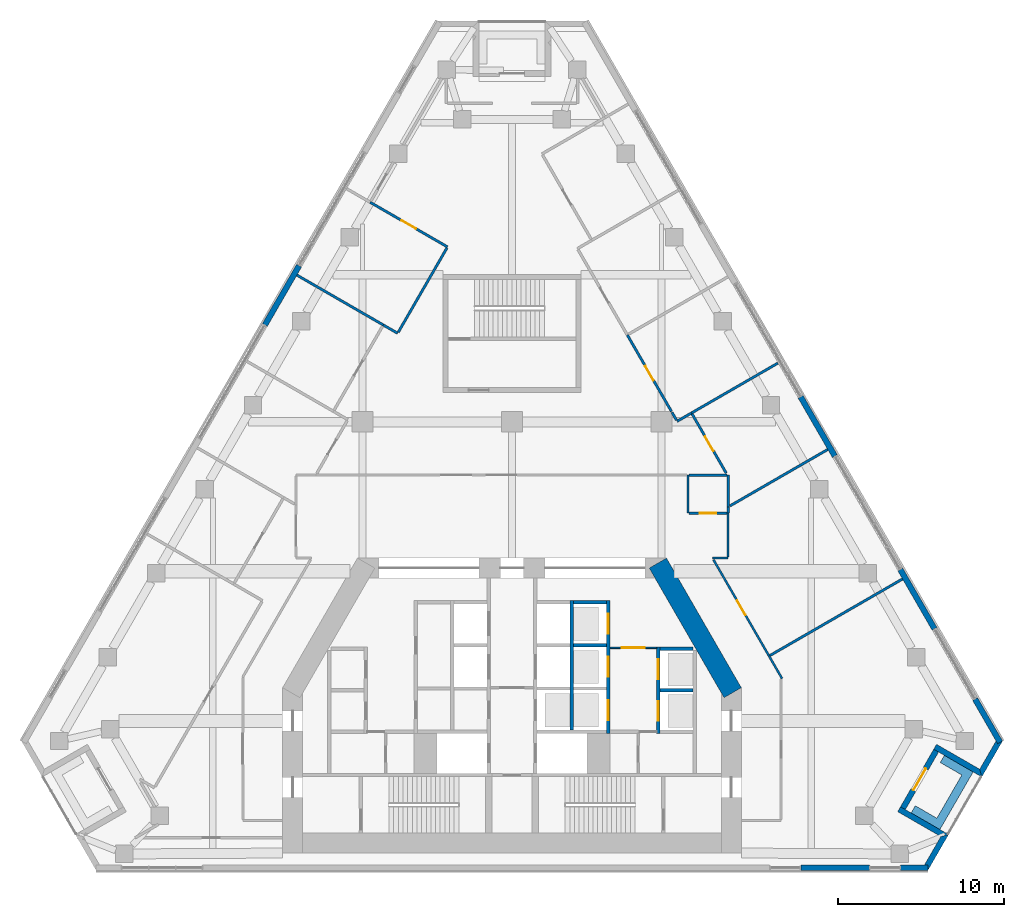
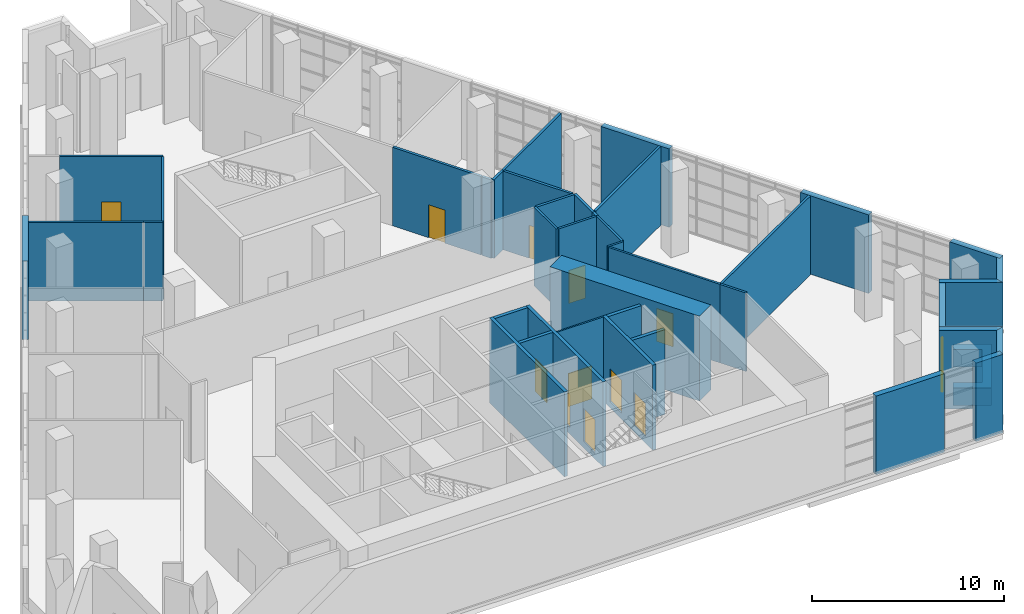
# One storey, part 15 of 18: 41 walls, 12 doors, 12 openings.
"""IFC4 building model written with IfcOpenShell, lengths in metres."""

from ifc_helpers import new_model, si_unit, direction, frame, frame_2d, origin, place, context, subcontext, project, spatial, polyline, rectangle, outline, extrude, material, layer, layer_set, type_object, element, fill, save


model = new_model("IFC4")

# Units and contexts
model_context = context("Model", 3, precision=1e-05, world=origin(), true_north=direction((0.0, 1.0)))
body_context = subcontext(model_context, "Body", "Model", "MODEL_VIEW")
ifc_project = project(units=[si_unit("LENGTHUNIT", "METRE"), si_unit("AREAUNIT", "SQUARE_METRE"), si_unit("VOLUMEUNIT", "CUBIC_METRE"), si_unit("PLANEANGLEUNIT", "RADIAN"), si_unit("MASSUNIT", "GRAM", prefix="KILO")], contexts=[model_context])

# Site, building, storey
site_placement = place(None, origin())
site = spatial("IfcSite", under=ifc_project, at=site_placement, CompositionType="ELEMENT")
building_placement = place(site_placement, origin())
building = spatial("IfcBuilding", under=site, at=building_placement, Name="Fogline Exchange Tower", CompositionType="ELEMENT")
storey_placement = place(building_placement, frame((0.0, 0.0, 137.5)))
storey = spatial("IfcBuildingStorey", under=building, at=storey_placement, Name="L30", CompositionType="ELEMENT", Elevation=137.5)

# Wall, opening, door
ifc_material_1 = material(Name="Blockwork partition", Category="masonry")
ifc_layer_1 = layer(ifc_material_1, 0.10009765625)
ifc_layer_set_1 = layer_set([ifc_layer_1], Name="CW10")
wall_type_1 = type_object("IfcWallType", Name="CW10", PredefinedType="PARTITIONING", material=ifc_layer_set_1)
wall_1_placement = place(storey_placement, frame((5.89990234375, 13.39990234375, 0.0), z_axis=(0.0, 0.0, 1.0), x_axis=(1.0, 0.0, 0.0)))
wall_1 = element("IfcWall", 1, at=wall_1_placement, inside=storey, type_object=wall_type_1, Name="Lift lobby partition", PredefinedType="PARTITIONING", context=body_context, shape_type="SweptSolid", body=[
    extrude(rectangle(XDim=2.800048828125, YDim=0.10009765625, at=frame_2d((1.39990234375, 0.0))), origin(), (0.0, 0.0, 1.0), 5.0),
])
opening_1_placement = place(wall_1_placement, frame((0.699951171875, 0.0, 0.0)))
opening_1 = element("IfcOpeningElement", 2, at=opening_1_placement, cuts=wall_1, Name="Opening T09-C012", PredefinedType="OPENING", context=body_context, shape_type="SweptSolid", body=[
    extrude(rectangle(XDim=1.39990234375, YDim=2.10009765625, at=frame_2d((0.699951171875, 1.050048828125))), frame((0.0, 0.06005859375, 0.0), z_axis=(0.0, -1.0, 0.0), x_axis=(1.0, 0.0, 0.0)), (0.0, 0.0, 1.0), 0.1201171875),
])
ifc_material_2 = material(Name="Steel and timber fire door", Category="steel")
door_type_1 = type_object("IfcDoorType", Name="D-LB1", OperationType="DOUBLE_DOOR_SINGLE_SWING", PredefinedType="DOOR", material=ifc_material_2)
door_1_placement = place(opening_1_placement, frame((1.39990234375, 0.0, 0.0), z_axis=(0.0, 0.0, 1.0), x_axis=(-1.0, 0.0, 0.0)))
door_1 = element("IfcDoor", 3, at=door_1_placement, inside=storey, type_object=door_type_1, Name="Door to lift lobby", OperationType="DOUBLE_DOOR_SINGLE_SWING", OverallHeight=2.10009765625, OverallWidth=1.39990234375, PredefinedType="DOOR", context=body_context, shape_type="SweptSolid", body=[
    extrude(rectangle(XDim=1.39990234375, YDim=2.10009765625, at=frame_2d((0.699951171875, 1.050048828125))), frame((0.0, 0.02490234375, 0.0), z_axis=(0.0, -1.0, 0.0), x_axis=(1.0, 0.0, 0.0)), (0.0, 0.0, 1.0), 0.050048828125),
])
fill(opening_1, door_1)

# Wall, openings, doors
ifc_material_3 = material(Name="Concrete C40", Category="concrete")
ifc_layer_2 = layer(ifc_material_3, 0.199951171875)
ifc_layer_set_2 = layer_set([ifc_layer_2], Name="CW20S")
wall_type_2 = type_object("IfcWallType", Name="CW20S", PredefinedType="SOLIDWALL", material=ifc_layer_set_2)
wall_2_placement = place(storey_placement, frame((8.800048828125, 8.25, -0.39990234375), z_axis=(0.0, 0.0, 1.0), x_axis=(0.0, 1.0, 0.0)))
wall_2 = element("IfcWall", 4, at=wall_2_placement, inside=storey, type_object=wall_type_2, Name="Lift shaft wall", PredefinedType="SOLIDWALL", context=body_context, shape_type="SweptSolid", body=[
    extrude(rectangle(XDim=5.199951171875, YDim=0.199951171875, at=frame_2d((2.60009765625, 0.0))), origin(), (0.0, 0.0, 1.0), 5.39990234375),
])
opening_2_placement = place(wall_2_placement, frame((0.75, 0.0, 0.39990234375)))
opening_2 = element("IfcOpeningElement", 5, at=opening_2_placement, cuts=wall_2, Name="Opening T09-LD04", PredefinedType="OPENING", context=body_context, shape_type="SweptSolid", body=[
    extrude(rectangle(XDim=1.199951171875, YDim=2.10009765625, at=frame_2d((0.60009765625, 1.050048828125))), frame((0.0, 0.10986328125, 0.0), z_axis=(0.0, -1.0, 0.0), x_axis=(1.0, 0.0, 0.0)), (0.0, 0.0, 1.0), 0.219970703125),
])
opening_3_placement = place(wall_2_placement, frame((3.25, 0.0, 0.39990234375)))
opening_3 = element("IfcOpeningElement", 6, at=opening_3_placement, cuts=wall_2, Name="Opening T09-LD05", PredefinedType="OPENING", context=body_context, shape_type="SweptSolid", body=[
    extrude(rectangle(XDim=1.199951171875, YDim=2.10009765625, at=frame_2d((0.60009765625, 1.050048828125))), frame((0.0, 0.10986328125, 0.0), z_axis=(0.0, -1.0, 0.0), x_axis=(1.0, 0.0, 0.0)), (0.0, 0.0, 1.0), 0.219970703125),
])
door_type_2 = type_object("IfcDoorType", Name="LD1", OperationType="SLIDING_TO_LEFT", PredefinedType="DOOR", material=ifc_material_2)
door_2_placement = place(opening_2_placement, origin())
door_2 = element("IfcDoor", 7, at=door_2_placement, inside=storey, type_object=door_type_2, Name="Landing door HR1", OperationType="SLIDING_TO_LEFT", OverallHeight=2.10009765625, OverallWidth=1.199951171875, PredefinedType="DOOR", context=body_context, shape_type="SweptSolid", body=[
    extrude(rectangle(XDim=1.199951171875, YDim=2.10009765625, at=frame_2d((0.60009765625, 1.050048828125))), frame((0.0, 0.02490234375, 0.0), z_axis=(0.0, -1.0, 0.0), x_axis=(1.0, 0.0, 0.0)), (0.0, 0.0, 1.0), 0.050048828125),
])
fill(opening_2, door_2)
door_3_placement = place(opening_3_placement, origin())
door_3 = element("IfcDoor", 8, at=door_3_placement, inside=storey, type_object=door_type_2, Name="Landing door HR2", OperationType="SLIDING_TO_LEFT", OverallHeight=2.10009765625, OverallWidth=1.199951171875, PredefinedType="DOOR", context=body_context, shape_type="SweptSolid", body=[
    extrude(rectangle(XDim=1.199951171875, YDim=2.10009765625, at=frame_2d((0.60009765625, 1.050048828125))), frame((0.0, 0.02490234375, 0.0), z_axis=(0.0, -1.0, 0.0), x_axis=(1.0, 0.0, 0.0)), (0.0, 0.0, 1.0), 0.050048828125),
])
fill(opening_3, door_3)

wall_3_placement = place(storey_placement, frame((5.800048828125, 8.25, -0.39990234375), z_axis=(0.0, 0.0, 1.0), x_axis=(0.0, 1.0, 0.0)))
wall_3 = element("IfcWall", 9, at=wall_3_placement, inside=storey, type_object=wall_type_2, Name="Lift shaft wall", PredefinedType="SOLIDWALL", context=body_context, shape_type="SweptSolid", body=[
    extrude(rectangle(XDim=8.0, YDim=0.199951171875, at=frame_2d((4.0, 0.0))), origin(), (0.0, 0.0, 1.0), 5.39990234375),
])
opening_4_placement = place(wall_3_placement, frame((0.800048828125, 0.0, 0.39990234375)))
opening_4 = element("IfcOpeningElement", 10, at=opening_4_placement, cuts=wall_3, Name="Opening T09-LD06", PredefinedType="OPENING", context=body_context, shape_type="SweptSolid", body=[
    extrude(rectangle(XDim=1.199951171875, YDim=2.10009765625, at=frame_2d((0.60009765625, 1.050048828125))), frame((0.0, 0.10986328125, 0.0), z_axis=(0.0, -1.0, 0.0), x_axis=(1.0, 0.0, 0.0)), (0.0, 0.0, 1.0), 0.219970703125),
])
opening_5_placement = place(wall_3_placement, frame((3.39990234375, 0.0, 0.39990234375)))
opening_5 = element("IfcOpeningElement", 11, at=opening_5_placement, cuts=wall_3, Name="Opening T09-LD07", PredefinedType="OPENING", context=body_context, shape_type="SweptSolid", body=[
    extrude(rectangle(XDim=1.199951171875, YDim=2.10009765625, at=frame_2d((0.60009765625, 1.050048828125))), frame((0.0, 0.10986328125, 0.0), z_axis=(0.0, -1.0, 0.0), x_axis=(1.0, 0.0, 0.0)), (0.0, 0.0, 1.0), 0.219970703125),
])
opening_6_placement = place(wall_3_placement, frame((6.0, 0.0, 0.39990234375)))
opening_6 = element("IfcOpeningElement", 12, at=opening_6_placement, cuts=wall_3, Name="Opening T09-LD08", PredefinedType="OPENING", context=body_context, shape_type="SweptSolid", body=[
    extrude(rectangle(XDim=1.199951171875, YDim=2.10009765625, at=frame_2d((0.60009765625, 1.050048828125))), frame((0.0, 0.10986328125, 0.0), z_axis=(0.0, -1.0, 0.0), x_axis=(1.0, 0.0, 0.0)), (0.0, 0.0, 1.0), 0.219970703125),
])
door_4_placement = place(opening_4_placement, origin())
door_4 = element("IfcDoor", 13, at=door_4_placement, inside=storey, type_object=door_type_2, Name="Landing door MR1", OperationType="SLIDING_TO_LEFT", OverallHeight=2.10009765625, OverallWidth=1.199951171875, PredefinedType="DOOR", context=body_context, shape_type="SweptSolid", body=[
    extrude(rectangle(XDim=1.199951171875, YDim=2.10009765625, at=frame_2d((0.60009765625, 1.050048828125))), frame((0.0, 0.02490234375, 0.0), z_axis=(0.0, -1.0, 0.0), x_axis=(1.0, 0.0, 0.0)), (0.0, 0.0, 1.0), 0.050048828125),
])
fill(opening_4, door_4)
door_5_placement = place(opening_5_placement, origin())
door_5 = element("IfcDoor", 14, at=door_5_placement, inside=storey, type_object=door_type_2, Name="Landing door MR2", OperationType="SLIDING_TO_LEFT", OverallHeight=2.10009765625, OverallWidth=1.199951171875, PredefinedType="DOOR", context=body_context, shape_type="SweptSolid", body=[
    extrude(rectangle(XDim=1.199951171875, YDim=2.10009765625, at=frame_2d((0.60009765625, 1.050048828125))), frame((0.0, 0.02490234375, 0.0), z_axis=(0.0, -1.0, 0.0), x_axis=(1.0, 0.0, 0.0)), (0.0, 0.0, 1.0), 0.050048828125),
])
fill(opening_5, door_5)
door_6_placement = place(opening_6_placement, origin())
door_6 = element("IfcDoor", 15, at=door_6_placement, inside=storey, type_object=door_type_2, Name="Landing door MR3", OperationType="SLIDING_TO_LEFT", OverallHeight=2.10009765625, OverallWidth=1.199951171875, PredefinedType="DOOR", context=body_context, shape_type="SweptSolid", body=[
    extrude(rectangle(XDim=1.199951171875, YDim=2.10009765625, at=frame_2d((0.60009765625, 1.050048828125))), frame((0.0, 0.02490234375, 0.0), z_axis=(0.0, -1.0, 0.0), x_axis=(1.0, 0.0, 0.0)), (0.0, 0.0, 1.0), 0.050048828125),
])
fill(opening_6, door_6)

# Walls
wall_4_placement = place(storey_placement, frame((3.60009765625, 8.449951171875, -0.39990234375), z_axis=(0.0, 0.0, 1.0), x_axis=(0.0, 1.0, 0.0)))
element("IfcWall", 16, at=wall_4_placement, inside=storey, type_object=wall_type_2, Name="Lift shaft wall", PredefinedType="SOLIDWALL", context=body_context, shape_type="SweptSolid", body=[
    extrude(rectangle(XDim=7.800048828125, YDim=0.199951171875, at=frame_2d((3.89990234375, 0.0))), origin(), (0.0, 0.0, 1.0), 5.39990234375),
])
for number, where, z_axis, x_axis, name in (
    (17, (8.89990234375, 10.85009765625, -0.39990234375), (0.0, 0.0, 1.0), (1.0, 0.0, 0.0), "Lift shaft wall"),
    (18, (8.89990234375, 13.35009765625, -0.39990234375), (0.0, 0.0, 1.0), (1.0, 0.0, 0.0), "Lift shaft wall"),
    (19, (3.699951171875, 13.550048828125, -0.39990234375), (0.0, 0.0, 1.0), (1.0, 0.0, 0.0), "Lift shaft wall"),
    (20, (3.699951171875, 16.14990234375, -0.39990234375), (0.0, 0.0, 1.0), (1.0, 0.0, 0.0), "Lift shaft wall"),
):
    element("IfcWall", number, at=place(storey_placement, frame(where, z_axis=z_axis, x_axis=x_axis)), inside=storey, type_object=wall_type_2, Name=name, PredefinedType="SOLIDWALL", context=body_context, shape_type="SweptSolid", body=[
        extrude(rectangle(XDim=2.0, YDim=0.199951171875, at=frame_2d((1.0, 0.0))), origin(), (0.0, 0.0, 1.0), 5.39990234375),
    ])
ifc_material_4 = material(Name="Brick masonry", Category="masonry")
ifc_layer_3 = layer(ifc_material_4, 0.340087890625)
ifc_layer_set_3 = layer_set([ifc_layer_3], Name="FW1")
wall_type_3 = type_object("IfcWallType", Name="FW1", PredefinedType="SOLIDWALL", material=ifc_layer_set_3)
wall_5_placement = place(storey_placement, frame((17.385009765625, 0.169921875, 0.0), z_axis=(0.0, 0.0, 1.0), x_axis=(1.0, 0.0, 0.0)))
element("IfcWall", 21, at=wall_5_placement, inside=storey, type_object=wall_type_3, Name="Brick wall L30 S bay 3", PredefinedType="SOLIDWALL", context=body_context, shape_type="SweptSolid", body=[
    extrude(rectangle(XDim=4.114990234375, YDim=0.340087890625, at=frame_2d((2.0576171875, 0.0))), origin(), (0.0, 0.0, 1.0), 5.0),
])
wall_6_placement = place(storey_placement, frame((23.385009765625, 0.169921875, 0.0), z_axis=(0.0, 0.0, 1.0), x_axis=(1.0, 0.0, 0.0)))
element("IfcWall", 22, at=wall_6_placement, inside=storey, type_object=wall_type_3, Name="Brick wall L30 S bay 4", PredefinedType="SOLIDWALL", context=body_context, shape_type="SweptSolid", body=[
    extrude(rectangle(XDim=1.6357421875, YDim=0.340087890625, at=frame_2d((0.81787109375, 0.0))), origin(), (0.0, 0.0, 1.0), 5.0),
])
wall_7_placement = place(storey_placement, origin())
element("IfcWall", 23, at=wall_7_placement, inside=storey, type_object=wall_type_3, Name="Brick wall L30 SE-c1", PredefinedType="SOLIDWALL", context=body_context, shape_type="SweptSolid", body=[
    extrude(outline(polyline([(26.27197265625, 2.165771484375), (25.020751953125, -0.001220703125), (25.020263671875, -0.0009765625), (25.020263671875, 0.33935546875), (24.823486328125, 0.33935546875), (25.805908203125, 2.041015625), (26.271728515625, 2.166015625), (26.27197265625, 2.165771484375)])), origin(), (0.0, 0.0, 1.0), 5.0),
])
wall_8_placement = place(storey_placement, origin())
element("IfcWall", 24, at=wall_8_placement, inside=storey, type_object=wall_type_3, Name="Brick wall L30 SE-s1", PredefinedType="SOLIDWALL", context=body_context, shape_type="SweptSolid", body=[
    extrude(outline(polyline([(23.20751953125, 3.540283203125), (23.378173828125, 3.8359375), (23.673095703125, 3.66552734375), (26.27197265625, 2.1650390625), (26.27197265625, 2.164794921875), (25.806396484375, 2.0400390625), (23.20751953125, 3.540283203125)])), origin(), (0.0, 0.0, 1.0), 5.0),
])

# Wall, opening, door
wall_9_placement = place(storey_placement, frame((23.525634765625, 3.75, 0.0), z_axis=(0.0, 0.0, 1.0), x_axis=(0.49999894854, 0.866026010844, 0.0)))
wall_9 = element("IfcWall", 25, at=wall_9_placement, inside=storey, type_object=wall_type_3, Name="Brick wall L30 SE-bk", PredefinedType="SOLIDWALL", context=body_context, shape_type="SweptSolid", body=[
    extrude(rectangle(XDim=4.0, YDim=0.340087890625, at=frame_2d((2.0, 0.0))), origin(), (0.0, 0.0, 1.0), 5.0),
])
opening_7_placement = place(wall_9_placement, frame((1.25, 0.0, 0.0)))
opening_7 = element("IfcOpeningElement", 26, at=opening_7_placement, cuts=wall_9, Name="Opening T09-E081", PredefinedType="OPENING", context=body_context, shape_type="SweptSolid", body=[
    extrude(rectangle(XDim=1.5, YDim=2.39990234375, at=frame_2d((0.75, 1.199951171875))), frame((0.0, 0.18017578125, 0.0), z_axis=(0.0, -1.0, 0.0), x_axis=(1.0, 0.0, 0.0)), (0.0, 0.0, 1.0), 0.360107421875),
])
ifc_material_5 = material(Name="Aluminium and glass", Category="aluminium")
door_type_3 = type_object("IfcDoorType", Name="ED4", OperationType="SINGLE_SWING_LEFT", PredefinedType="DOOR", material=ifc_material_5)
door_7_placement = place(opening_7_placement, frame((1.5, 0.0, 0.0), z_axis=(0.0, 0.0, 1.0), x_axis=(-1.0, 0.0, 0.0)))
door_7 = element("IfcDoor", 27, at=door_7_placement, inside=storey, type_object=door_type_3, Name="Balcony door L30 SE", OperationType="DOUBLE_DOOR_SINGLE_SWING", OverallHeight=2.39990234375, OverallWidth=1.5, PredefinedType="DOOR", context=body_context, shape_type="SweptSolid", body=[
    extrude(rectangle(XDim=1.5, YDim=2.39990234375, at=frame_2d((0.75, 1.199951171875))), frame((0.0, 0.02490234375, 0.0), z_axis=(0.0, -1.0, 0.0), x_axis=(1.0, 0.0, 0.0)), (0.0, 0.0, 1.0), 0.050048828125),
])
fill(opening_7, door_7)

# Walls
wall_10_placement = place(storey_placement, origin())
element("IfcWall", 28, at=wall_10_placement, inside=storey, type_object=wall_type_3, Name="Brick wall L30 SE-s2", PredefinedType="SOLIDWALL", context=body_context, shape_type="SweptSolid", body=[
    extrude(outline(polyline([(28.271484375, 5.628173828125), (25.672607421875, 7.128662109375), (25.37744140625, 7.298828125), (25.548095703125, 7.594482421875), (28.14697265625, 6.093994140625), (28.271728515625, 5.62841796875), (28.271484375, 5.628173828125)])), origin(), (0.0, 0.0, 1.0), 5.0),
])
wall_11_placement = place(storey_placement, origin())
element("IfcWall", 29, at=wall_11_placement, inside=storey, type_object=wall_type_3, Name="Brick wall L30 SE-c2", PredefinedType="SOLIDWALL", context=body_context, shape_type="SweptSolid", body=[
    extrude(outline(polyline([(29.128173828125, 7.79541015625), (29.2265625, 7.625), (29.521484375, 7.79541015625), (29.52197265625, 7.794921875), (28.270751953125, 5.6279296875), (28.2705078125, 5.6279296875), (28.145751953125, 6.09375), (29.128173828125, 7.79541015625)])), origin(), (0.0, 0.0, 1.0), 5.0),
])
wall_12_placement = place(storey_placement, frame((29.37353515625, 7.709228515625, 0.0), z_axis=(0.0, 0.0, 1.0), x_axis=(-0.499968157123, 0.866043787497, 0.0)))
element("IfcWall", 30, at=wall_12_placement, inside=storey, type_object=wall_type_3, Name="Brick wall L30 E bay 1", PredefinedType="SOLIDWALL", context=body_context, shape_type="SweptSolid", body=[
    extrude(rectangle(XDim=3.010498046875, YDim=0.340087890625, at=frame_2d((1.50537109375, 0.0))), origin(), (0.0, 0.0, 1.0), 5.0),
])
for number, where, z_axis, x_axis, name in (
    (31, (25.426025390625, 14.546875, 0.0), (0.0, 0.0, 1.0), (-0.500018604663, 0.866014662111, 0.0), "Brick wall L30 E bay 2"),
    (32, (19.426025390625, 24.939208984375, 0.0), (0.0, 0.0, 1.0), (-0.500018604663, 0.866014662111, 0.0), "Brick wall L30 E bay 3"),
    (33, (-12.81103515625, 36.396728515625, 0.0), (0.0, 0.0, 1.0), (-0.499974107589, -0.866040352259, 0.0), "Brick wall L30 W bay 3"),
):
    element("IfcWall", number, at=place(storey_placement, frame(where, z_axis=z_axis, x_axis=x_axis)), inside=storey, type_object=wall_type_3, Name=name, PredefinedType="SOLIDWALL", context=body_context, shape_type="SweptSolid", body=[
        extrude(rectangle(XDim=4.114990234375, YDim=0.340087890625, at=frame_2d((2.0576171875, 0.0))), origin(), (0.0, 0.0, 1.0), 5.0),
    ])
ifc_material_6 = material(Name="Concrete C30", Category="concrete")
ifc_layer_4 = layer(ifc_material_6, 0.199951171875)
ifc_layer_set_4 = layer_set([ifc_layer_4], Name="PL1")
wall_type_4 = type_object("IfcWallType", Name="PL1", PredefinedType="USERDEFINED", material=ifc_layer_set_4)
wall_13_placement = place(storey_placement, origin())
element("IfcWall", 34, at=wall_13_placement, inside=storey, type_object=wall_type_4, Name="PLANTER balcony L30 SE", ObjectType="PLANTER", PredefinedType="USERDEFINED", context=body_context, shape_type="SweptSolid", body=[
    extrude(outline(polyline([(24.019287109375, 3.465087890625), (25.318115234375, 2.715087890625), (25.318115234375, 2.715087890625), (25.751220703125, 2.465087890625), (27.501220703125, 5.49609375), (27.751220703125, 5.92919921875), (26.019287109375, 6.92919921875), (25.769287109375, 6.49609375), (27.068115234375, 5.74609375), (25.568115234375, 3.148193359375), (24.269287109375, 3.898193359375), (24.019287109375, 3.465087890625)])), origin(), (0.0, 0.0, 1.0), 1.10009765625),
])
ifc_material_7 = material(Name="Plasterboard corridor partition with mineral wool, 2 layers each side")
ifc_layer_5 = layer(ifc_material_7, 0.125)
ifc_layer_set_5 = layer_set([ifc_layer_5], Name="PW2")
wall_type_5 = type_object("IfcWallType", Name="PW2", PredefinedType="PARTITIONING", material=ifc_layer_set_5)
wall_14_placement = place(storey_placement, frame((15.469970703125, 12.906494140625, 0.0), z_axis=(0.0, 0.0, 1.0), x_axis=(0.500072733165, -0.865983407199, 0.0)))
element("IfcWall", 35, at=wall_14_placement, inside=storey, type_object=wall_type_5, Name="wall-L30-W001", PredefinedType="PARTITIONING", context=body_context, shape_type="SweptSolid", body=[
    extrude(rectangle(XDim=1.568603515625, YDim=0.125, at=frame_2d((0.7841796875, 0.0))), origin(), (0.0, 0.0, 1.0), 5.0),
])

# Wall, opening, door
wall_15_placement = place(storey_placement, frame((12.121826171875, 18.705810546875, 0.0), z_axis=(0.0, 0.0, 1.0), x_axis=(0.499989655977, -0.866031375826, 0.0)))
wall_15 = element("IfcWall", 36, at=wall_15_placement, inside=storey, type_object=wall_type_5, Name="wall-L30-W004", PredefinedType="PARTITIONING", context=body_context, shape_type="SweptSolid", body=[
    extrude(rectangle(XDim=6.696533203125, YDim=0.125, at=frame_2d((3.34814453125, 0.0))), origin(), (0.0, 0.0, 1.0), 5.0),
])
opening_8_placement = place(wall_15_placement, frame((2.84814453125, 0.0, 0.0)))
opening_8 = element("IfcOpeningElement", 37, at=opening_8_placement, cuts=wall_15, Name="Opening T09-D002", PredefinedType="OPENING", context=body_context, shape_type="SweptSolid", body=[
    extrude(rectangle(XDim=1.0, YDim=2.10009765625, at=frame_2d((0.5, 1.050048828125))), frame((0.0, 0.072509765625, 0.0), z_axis=(0.0, -1.0, 0.0), x_axis=(1.0, 0.0, 0.0)), (0.0, 0.0, 1.0), 0.14501953125),
])
ifc_material_8 = material(Name="Fire-rated timber door leaf with steel frame", Category="steel")
door_type_4 = type_object("IfcDoorType", Name="D3", OperationType="SINGLE_SWING_LEFT", PredefinedType="DOOR", material=ifc_material_8)
door_8_placement = place(opening_8_placement, origin())
door_8 = element("IfcDoor", 38, at=door_8_placement, inside=storey, type_object=door_type_4, Name="door-L30-D002", OperationType="SINGLE_SWING_LEFT", OverallHeight=2.10009765625, OverallWidth=1.0, PredefinedType="DOOR", context=body_context, shape_type="SweptSolid", body=[
    extrude(rectangle(XDim=1.0, YDim=2.10009765625, at=frame_2d((0.5, 1.050048828125))), frame((0.0, 0.02490234375, 0.0), z_axis=(0.0, -1.0, 0.0), x_axis=(1.0, 0.0, 0.0)), (0.0, 0.0, 1.0), 0.050048828125),
])
fill(opening_8, door_8)

# Wall
wall_16_placement = place(storey_placement, frame((10.60009765625, 23.800048828125, 0.0), z_axis=(0.0, 0.0, 1.0), x_axis=(0.0, -1.0, 0.0)))
element("IfcWall", 39, at=wall_16_placement, inside=storey, type_object=wall_type_5, Name="wall-L30-W005", PredefinedType="PARTITIONING", context=body_context, shape_type="SweptSolid", body=[
    extrude(rectangle(XDim=2.300048828125, YDim=0.125, at=frame_2d((1.14990234375, 0.0))), origin(), (0.0, 0.0, 1.0), 5.0),
])

# Wall, opening, door
wall_17_placement = place(storey_placement, frame((10.66259765625, 21.5, 0.0), z_axis=(0.0, 0.0, 1.0), x_axis=(1.0, 0.0, 0.0)))
wall_17 = element("IfcWall", 40, at=wall_17_placement, inside=storey, type_object=wall_type_5, Name="wall-L30-W006", PredefinedType="PARTITIONING", context=body_context, shape_type="SweptSolid", body=[
    extrude(rectangle(XDim=2.261962890625, YDim=0.125, at=frame_2d((1.130859375, 0.0))), origin(), (0.0, 0.0, 1.0), 5.0),
])
opening_9_placement = place(wall_17_placement, frame((0.631103515625, 0.0, 0.0)))
opening_9 = element("IfcOpeningElement", 41, at=opening_9_placement, cuts=wall_17, Name="Opening T09-D003", PredefinedType="OPENING", context=body_context, shape_type="SweptSolid", body=[
    extrude(rectangle(XDim=1.0, YDim=2.10009765625, at=frame_2d((0.5, 1.050048828125))), frame((0.0, 0.072509765625, 0.0), z_axis=(0.0, -1.0, 0.0), x_axis=(1.0, 0.0, 0.0)), (0.0, 0.0, 1.0), 0.14501953125),
])
door_9_placement = place(opening_9_placement, origin())
door_9 = element("IfcDoor", 42, at=door_9_placement, inside=storey, type_object=door_type_4, Name="door-L30-D003", OperationType="SINGLE_SWING_LEFT", OverallHeight=2.10009765625, OverallWidth=1.0, PredefinedType="DOOR", context=body_context, shape_type="SweptSolid", body=[
    extrude(rectangle(XDim=1.0, YDim=2.10009765625, at=frame_2d((0.5, 1.050048828125))), frame((0.0, 0.02490234375, 0.0), z_axis=(0.0, -1.0, 0.0), x_axis=(1.0, 0.0, 0.0)), (0.0, 0.0, 1.0), 0.050048828125),
])
fill(opening_9, door_9)

# Walls
wall_18_placement = place(storey_placement, frame((13.0, 21.5, 0.0), z_axis=(0.0, 0.0, 1.0), x_axis=(0.0, -1.0, 0.0)))
element("IfcWall", 43, at=wall_18_placement, inside=storey, type_object=wall_type_5, Name="wall-L30-W012", PredefinedType="PARTITIONING", context=body_context, shape_type="SweptSolid", body=[
    extrude(rectangle(XDim=2.637451171875, YDim=0.125, at=frame_2d((1.31884765625, 0.0))), origin(), (0.0, 0.0, 1.0), 5.0),
])
wall_19_placement = place(storey_placement, frame((13.0, 18.800048828125, 0.0), z_axis=(0.0, 0.0, 1.0), x_axis=(-1.0, 0.0, 0.0)))
element("IfcWall", 44, at=wall_19_placement, inside=storey, type_object=wall_type_5, Name="wall-L30-W013", PredefinedType="PARTITIONING", context=body_context, shape_type="SweptSolid", body=[
    extrude(rectangle(XDim=0.9326171875, YDim=0.125, at=frame_2d((0.46630859375, 0.0))), origin(), (0.0, 0.0, 1.0), 5.0),
])
ifc_material_9 = material(Name="Plasterboard demising partition with mineral wool and acoustic board")
ifc_layer_6 = layer(ifc_material_9, 0.14990234375)
ifc_layer_set_6 = layer_set([ifc_layer_6], Name="PW3")
wall_type_6 = type_object("IfcWallType", Name="PW3", PredefinedType="PARTITIONING", material=ifc_layer_set_6)
wall_20_placement = place(storey_placement, frame((13.0, 23.800048828125, 0.0), z_axis=(0.0, 0.0, 1.0), x_axis=(0.0, -1.0, 0.0)))
element("IfcWall", 45, at=wall_20_placement, inside=storey, type_object=wall_type_6, Name="wall-L30-W017", PredefinedType="PARTITIONING", context=body_context, shape_type="SweptSolid", body=[
    extrude(rectangle(XDim=1.92724609375, YDim=0.14990234375, at=frame_2d((0.963623046875, 0.0))), origin(), (0.0, 0.0, 1.0), 5.0),
])
wall_21_placement = place(storey_placement, frame((10.6630859375, 23.800048828125, 0.0), z_axis=(0.0, 0.0, 1.0), x_axis=(1.0, 0.0, 0.0)))
element("IfcWall", 46, at=wall_21_placement, inside=storey, type_object=wall_type_6, Name="wall-L30-W018", PredefinedType="PARTITIONING", context=body_context, shape_type="SweptSolid", body=[
    extrude(rectangle(XDim=2.261474609375, YDim=0.14990234375, at=frame_2d((1.130859375, 0.0))), origin(), (0.0, 0.0, 1.0), 5.0),
])
wall_22_placement = place(storey_placement, frame((13.0, 21.872802734375, 0.0), z_axis=(0.0, 0.0, 1.0), x_axis=(0.0, -1.0, 0.0)))
element("IfcWall", 47, at=wall_22_placement, inside=storey, type_object=wall_type_6, Name="wall-L30-W019", PredefinedType="PARTITIONING", context=body_context, shape_type="SweptSolid", body=[
    extrude(rectangle(XDim=0.372802734375, YDim=0.14990234375, at=frame_2d((0.1865234375, 0.0))), origin(), (0.0, 0.0, 1.0), 5.0),
])
wall_23_placement = place(storey_placement, frame((10.8037109375, 27.533203125, 0.0), z_axis=(0.0, 0.0, 1.0), x_axis=(0.866031096941, 0.499990139034, 0.0)))
element("IfcWall", 48, at=wall_23_placement, inside=storey, type_object=wall_type_6, Name="wall-L30-W020", PredefinedType="PARTITIONING", context=body_context, shape_type="SweptSolid", body=[
    extrude(rectangle(XDim=6.0, YDim=0.14990234375, at=frame_2d((3.0, 0.0))), origin(), (0.0, 0.0, 1.0), 5.0),
])

# Wall, opening, door
wall_24_placement = place(storey_placement, frame((12.893798828125, 23.912841796875, 0.0), z_axis=(0.0, 0.0, 1.0), x_axis=(-0.499983290286, 0.866035050927, 0.0)))
wall_24 = element("IfcWall", 49, at=wall_24_placement, inside=storey, type_object=wall_type_6, Name="wall-L30-W021", PredefinedType="PARTITIONING", context=body_context, shape_type="SweptSolid", body=[
    extrude(rectangle(XDim=4.105224609375, YDim=0.14990234375, at=frame_2d((2.052734375, 0.0))), origin(), (0.0, 0.0, 1.0), 5.0),
])
opening_10_placement = place(wall_24_placement, frame((1.552490234375, 0.0, 0.0)))
opening_10 = element("IfcOpeningElement", 50, at=opening_10_placement, cuts=wall_24, Name="Opening T09-D008", PredefinedType="OPENING", context=body_context, shape_type="SweptSolid", body=[
    extrude(rectangle(XDim=1.0, YDim=2.10009765625, at=frame_2d((0.5, 1.050048828125))), frame((0.0, 0.0849609375, 0.0), z_axis=(0.0, -1.0, 0.0), x_axis=(1.0, 0.0, 0.0)), (0.0, 0.0, 1.0), 0.169921875),
])
door_10_placement = place(opening_10_placement, frame((1.0, 0.0, 0.0), z_axis=(0.0, 0.0, 1.0), x_axis=(-1.0, 0.0, 0.0)))
door_10 = element("IfcDoor", 51, at=door_10_placement, inside=storey, type_object=door_type_4, Name="door-L30-D008", OperationType="SINGLE_SWING_LEFT", OverallHeight=2.10009765625, OverallWidth=1.0, PredefinedType="DOOR", context=body_context, shape_type="SweptSolid", body=[
    extrude(rectangle(XDim=1.0, YDim=2.10009765625, at=frame_2d((0.5, 1.050048828125))), frame((0.0, 0.02490234375, 0.0), z_axis=(0.0, -1.0, 0.0), x_axis=(1.0, 0.0, 0.0)), (0.0, 0.0, 1.0), 0.050048828125),
])
fill(opening_10, door_10)

# Walls
wall_25_placement = place(storey_placement, frame((19.0, 25.3369140625, 0.0), z_axis=(0.0, 0.0, 1.0), x_axis=(-0.866028893315, -0.499993955907, 0.0)))
element("IfcWall", 52, at=wall_25_placement, inside=storey, type_object=wall_type_6, Name="wall-L30-W022", PredefinedType="PARTITIONING", context=body_context, shape_type="SweptSolid", body=[
    extrude(rectangle(XDim=6.7978515625, YDim=0.14990234375, at=frame_2d((3.39892578125, 0.0))), origin(), (0.0, 0.0, 1.0), 5.0),
])
wall_26_placement = place(storey_placement, frame((10.8037109375, 27.533203125, 0.0), z_axis=(0.0, 0.0, 1.0), x_axis=(-0.866010750942, -0.50002537861, 0.0)))
element("IfcWall", 53, at=wall_26_placement, inside=storey, type_object=wall_type_6, Name="wall-L30-W024", PredefinedType="PARTITIONING", context=body_context, shape_type="SweptSolid", body=[
    extrude(rectangle(XDim=1.0, YDim=0.14990234375, at=frame_2d((0.5, 0.0))), origin(), (0.0, 0.0, 1.0), 5.0),
])
wall_27_placement = place(storey_placement, frame((9.900390625, 27.09814453125, 0.0), z_axis=(0.0, 0.0, 1.0), x_axis=(-0.500144624036, 0.865941888956, 0.0)))
element("IfcWall", 54, at=wall_27_placement, inside=storey, type_object=wall_type_6, Name="wall-L30-W025", PredefinedType="PARTITIONING", context=body_context, shape_type="SweptSolid", body=[
    extrude(rectangle(XDim=0.550537109375, YDim=0.14990234375, at=frame_2d((0.275390625, 0.0))), origin(), (0.0, 0.0, 1.0), 5.0),
])

# Wall, opening, door
wall_28_placement = place(storey_placement, frame((9.59619140625, 27.625, 0.0), z_axis=(0.0, 0.0, 1.0), x_axis=(-0.500025873786, 0.866010465032, 0.0)))
wall_28 = element("IfcWall", 55, at=wall_28_placement, inside=storey, type_object=wall_type_6, Name="wall-L30-W026", PredefinedType="PARTITIONING", context=body_context, shape_type="SweptSolid", body=[
    extrude(rectangle(XDim=5.316650390625, YDim=0.14990234375, at=frame_2d((2.658203125, 0.0))), origin(), (0.0, 0.0, 1.0), 5.0),
])
opening_11_placement = place(wall_28_placement, frame((2.158203125, 0.0, 0.0)))
opening_11 = element("IfcOpeningElement", 56, at=opening_11_placement, cuts=wall_28, Name="Opening T09-D009", PredefinedType="OPENING", context=body_context, shape_type="SweptSolid", body=[
    extrude(rectangle(XDim=1.0, YDim=2.10009765625, at=frame_2d((0.5, 1.050048828125))), frame((0.0, 0.0849609375, 0.0), z_axis=(0.0, -1.0, 0.0), x_axis=(1.0, 0.0, 0.0)), (0.0, 0.0, 1.0), 0.169921875),
])
door_11_placement = place(opening_11_placement, frame((1.0, 0.0, 0.0), z_axis=(0.0, 0.0, 1.0), x_axis=(-1.0, 0.0, 0.0)))
door_11 = element("IfcDoor", 57, at=door_11_placement, inside=storey, type_object=door_type_4, Name="door-L30-D009", OperationType="SINGLE_SWING_LEFT", OverallHeight=2.10009765625, OverallWidth=1.0, PredefinedType="DOOR", context=body_context, shape_type="SweptSolid", body=[
    extrude(rectangle(XDim=1.0, YDim=2.10009765625, at=frame_2d((0.5, 1.050048828125))), frame((0.0, 0.02490234375, 0.0), z_axis=(0.0, -1.0, 0.0), x_axis=(1.0, 0.0, 0.0)), (0.0, 0.0, 1.0), 0.050048828125),
])
fill(opening_11, door_11)

# Walls
wall_29_placement = place(storey_placement, frame((-7.746337890625, 32.828857421875, 0.0), z_axis=(0.0, 0.0, 1.0), x_axis=(0.866010750942, -0.50002537861, 0.0)))
element("IfcWall", 58, at=wall_29_placement, inside=storey, type_object=wall_type_6, Name="wall-L30-W040", PredefinedType="PARTITIONING", context=body_context, shape_type="SweptSolid", body=[
    extrude(rectangle(XDim=1.0, YDim=0.14990234375, at=frame_2d((0.5, 0.0))), origin(), (0.0, 0.0, 1.0), 5.0),
])
wall_30_placement = place(storey_placement, frame((-6.8427734375, 32.393798828125, 0.0), z_axis=(0.0, 0.0, 1.0), x_axis=(0.500012662943, 0.866018092707, 0.0)))
element("IfcWall", 59, at=wall_30_placement, inside=storey, type_object=wall_type_6, Name="wall-L30-W041", PredefinedType="PARTITIONING", context=body_context, shape_type="SweptSolid", body=[
    extrude(rectangle(XDim=5.849853515625, YDim=0.14990234375, at=frame_2d((2.9248046875, 0.0))), origin(), (0.0, 0.0, 1.0), 5.0),
])

# Wall, opening, door
wall_31_placement = place(storey_placement, frame((-3.88037109375, 37.52490234375, 0.0), z_axis=(0.0, 0.0, 1.0), x_axis=(-0.866016825791, 0.500014857227, 0.0)))
wall_31 = element("IfcWall", 60, at=wall_31_placement, inside=storey, type_object=wall_type_6, Name="wall-L30-W042", PredefinedType="PARTITIONING", context=body_context, shape_type="SweptSolid", body=[
    extrude(rectangle(XDim=5.372314453125, YDim=0.14990234375, at=frame_2d((2.68603515625, 0.0))), origin(), (0.0, 0.0, 1.0), 5.0),
])
opening_12_placement = place(wall_31_placement, frame((2.186279296875, 0.0, 0.0)))
opening_12 = element("IfcOpeningElement", 61, at=opening_12_placement, cuts=wall_31, Name="Opening T09-D013", PredefinedType="OPENING", context=body_context, shape_type="SweptSolid", body=[
    extrude(rectangle(XDim=1.0, YDim=2.10009765625, at=frame_2d((0.5, 1.050048828125))), frame((0.0, 0.0849609375, 0.0), z_axis=(0.0, -1.0, 0.0), x_axis=(1.0, 0.0, 0.0)), (0.0, 0.0, 1.0), 0.169921875),
])
door_12_placement = place(opening_12_placement, origin())
door_12 = element("IfcDoor", 62, at=door_12_placement, inside=storey, type_object=door_type_4, Name="door-L30-D013", OperationType="SINGLE_SWING_LEFT", OverallHeight=2.10009765625, OverallWidth=1.0, PredefinedType="DOOR", context=body_context, shape_type="SweptSolid", body=[
    extrude(rectangle(XDim=1.0, YDim=2.10009765625, at=frame_2d((0.5, 1.050048828125))), frame((0.0, 0.02490234375, 0.0), z_axis=(0.0, -1.0, 0.0), x_axis=(1.0, 0.0, 0.0)), (0.0, 0.0, 1.0), 0.050048828125),
])
fill(opening_12, door_12)

# Walls
wall_32_placement = place(storey_placement, frame((-7.746337890625, 32.828857421875, 0.0), z_axis=(0.0, 0.0, 1.0), x_axis=(-0.866020924479, 0.500007758305, 0.0)))
element("IfcWall", 63, at=wall_32_placement, inside=storey, type_object=wall_type_6, Name="wall-L30-W047", PredefinedType="PARTITIONING", context=body_context, shape_type="SweptSolid", body=[
    extrude(rectangle(XDim=6.0, YDim=0.14990234375, at=frame_2d((3.0, 0.0))), origin(), (0.0, 0.0, 1.0), 5.0),
])
wall_33_placement = place(storey_placement, frame((15.52392578125, 12.93798828125, 0.0), z_axis=(0.0, 0.0, 1.0), x_axis=(0.866037264291, 0.499979456437, 0.0)))
element("IfcWall", 64, at=wall_33_placement, inside=storey, type_object=wall_type_6, Name="wall-L30-W059", PredefinedType="PARTITIONING", context=body_context, shape_type="SweptSolid", body=[
    extrude(rectangle(XDim=9.2099609375, YDim=0.14990234375, at=frame_2d((4.60498046875, 0.0))), origin(), (0.0, 0.0, 1.0), 5.0),
])
ifc_material_10 = material(Name="Concrete C60", Category="concrete")
ifc_layer_7 = layer(ifc_material_10, 1.199951171875)
ifc_layer_set_7 = layer_set([ifc_layer_7], Name="SW02")
wall_type_7 = type_object("IfcWallType", Name="SW02", PredefinedType="SHEAR", material=ifc_layer_set_7)
wall_34_placement = place(storey_placement, frame((13.280517578125, 10.698974609375, 0.0), z_axis=(0.0, 0.0, 1.0), x_axis=(-0.499998513025, 0.866026262288, 0.0)))
element("IfcWall", 65, at=wall_34_placement, inside=storey, type_object=wall_type_7, Name="L30-W903", PredefinedType="SHEAR", context=body_context, shape_type="SweptSolid", body=[
    extrude(rectangle(XDim=9.0078125, YDim=1.199951171875, at=frame_2d((4.50390625, 0.0))), origin(), (0.0, 0.0, 1.0), 5.39990234375),
])

save(model, "model.ifc")
